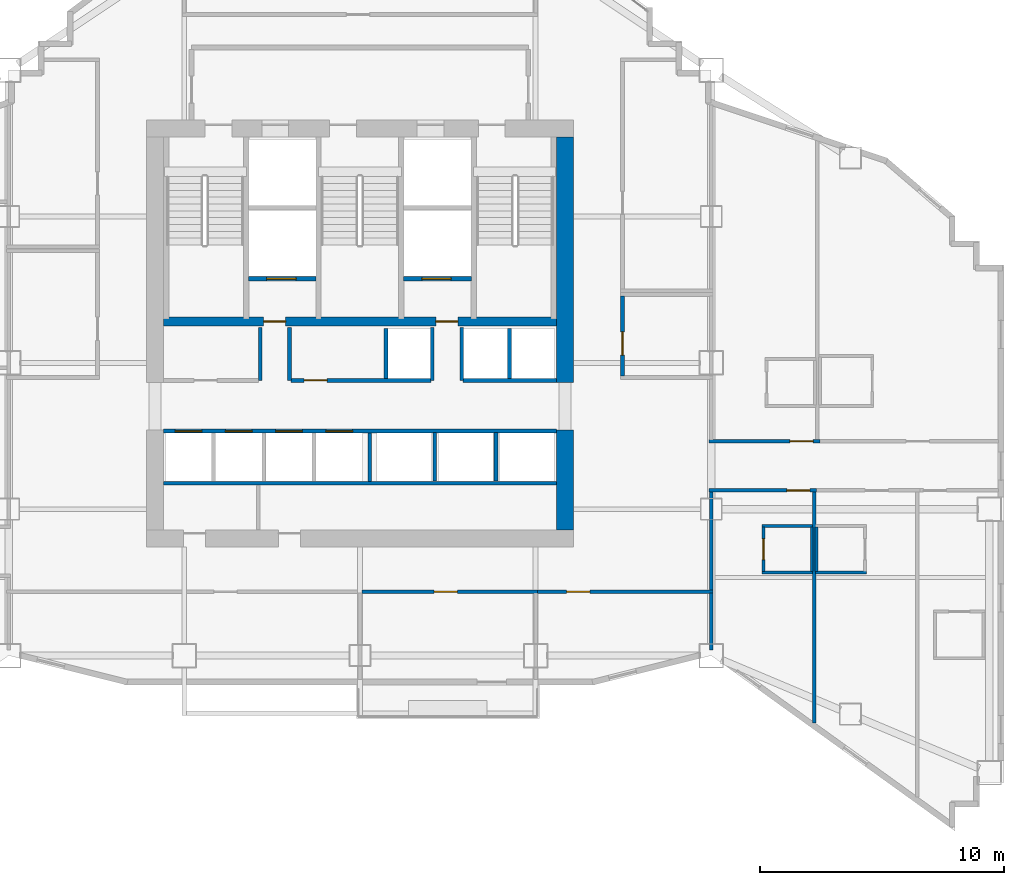
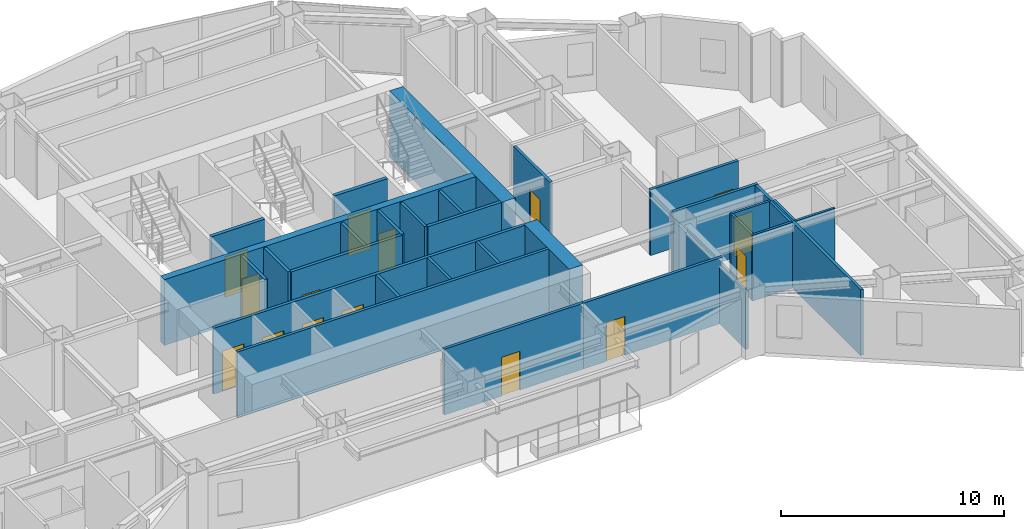
# One storey, part 8 of 13: 32 walls, 15 doors, 15 openings.
"""IFC4 building model written with IfcOpenShell, lengths in metres."""

from ifc_helpers import new_model, si_unit, direction, frame, frame_2d, origin, place, context, subcontext, project, spatial, rectangle, extrude, material, layer, layer_set, type_object, element, fill, save


model = new_model("IFC4")

# Units and contexts
model_context = context("Model", 3, precision=1e-05, world=origin(), true_north=direction((0.0, 1.0)))
body_context = subcontext(model_context, "Body", "Model", "MODEL_VIEW")
ifc_project = project(units=[si_unit("LENGTHUNIT", "METRE"), si_unit("AREAUNIT", "SQUARE_METRE"), si_unit("VOLUMEUNIT", "CUBIC_METRE"), si_unit("PLANEANGLEUNIT", "RADIAN"), si_unit("MASSUNIT", "GRAM", prefix="KILO")], contexts=[model_context])

# Site, building, storey
site_placement = place(None, origin())
site = spatial("IfcSite", under=ifc_project, at=site_placement, CompositionType="ELEMENT")
building_placement = place(site_placement, origin())
building = spatial("IfcBuilding", under=site, at=building_placement, Name="Haolan Belvedere Tower", CompositionType="ELEMENT")
storey_placement = place(building_placement, frame((0.0, 0.0, 128.800048828125)))
storey = spatial("IfcBuildingStorey", under=building, at=storey_placement, Name="L32", CompositionType="ELEMENT", Elevation=128.800048828125)

# Walls
ifc_material_1 = material(Name="Concrete C60/75", Category="concrete")
ifc_layer_1 = layer(ifc_material_1, 0.699951171875, Name="Concrete C60/75")
ifc_layer_set_1 = layer_set([ifc_layer_1], Name="Concrete C60/75")
wall_type_1 = type_object("IfcWallType", Name="WL-CORE-700", PredefinedType="SHEAR", material=ifc_layer_set_1)
wall_1_placement = place(storey_placement, frame((46.800048828125, 26.75, 0.0), z_axis=(0.0, 0.0, 1.0), x_axis=(0.0, 1.0, 0.0)))
element("IfcWall", 1, at=wall_1_placement, inside=storey, type_object=wall_type_1, Name="L32 central core shear wall ES", PredefinedType="SHEAR", context=body_context, shape_type="SweptSolid", body=[
    extrude(rectangle(XDim=4.10009765625, YDim=0.699951171875, at=frame_2d((2.050048828125, 0.0))), origin(), (0.0, 0.0, 1.0), 3.599853515625),
])
wall_2_placement = place(storey_placement, frame((46.800048828125, 32.800048828125, 0.0), z_axis=(0.0, 0.0, 1.0), x_axis=(0.0, 1.0, 0.0)))
element("IfcWall", 2, at=wall_2_placement, inside=storey, type_object=wall_type_1, Name="L32 central core shear wall EN", PredefinedType="SHEAR", context=body_context, shape_type="SweptSolid", body=[
    extrude(rectangle(XDim=10.050048828125, YDim=0.699951171875, at=frame_2d((5.02490234375, 0.0))), origin(), (0.0, 0.0, 1.0), 3.599853515625),
])
ifc_material_2 = material(Name="Double gypsum acoustic stud partition", Category="masonry")
ifc_layer_2 = layer(ifc_material_2, 0.14990234375, Name="Double gypsum acoustic stud partition")
ifc_layer_set_2 = layer_set([ifc_layer_2], Name="Double gypsum acoustic stud partition")
wall_type_2 = type_object("IfcWallType", Name="WL-PART-150", PredefinedType="PARTITIONING", material=ifc_layer_set_2)
wall_3_placement = place(storey_placement, frame((30.35009765625, 28.659912109375, 0.0), z_axis=(0.0, 0.0, 1.0), x_axis=(1.0, 0.0, 0.0)))
element("IfcWall", 3, at=wall_3_placement, inside=storey, type_object=wall_type_2, Name="L32 interior partition IW-L32-SSTRIP-N", PredefinedType="PARTITIONING", context=body_context, shape_type="SweptSolid", body=[
    extrude(rectangle(XDim=16.099853515625, YDim=0.14990234375, at=frame_2d((8.0498046875, 0.0))), origin(), (0.0, 0.0, 1.0), 3.599853515625),
])

# Wall, opening, door
wall_4_placement = place(storey_placement, frame((49.159912109375, 33.06005859375, 0.0), z_axis=(0.0, 0.0, 1.0), x_axis=(0.0, 1.0, 0.0)))
wall_4 = element("IfcWall", 4, at=wall_4_placement, inside=storey, type_object=wall_type_2, Name="L32 interior partition IW-L32-AWC-W", PredefinedType="PARTITIONING", context=body_context, shape_type="SweptSolid", body=[
    extrude(rectangle(XDim=3.280029296875, YDim=0.14990234375, at=frame_2d((1.64013671875, 0.0))), origin(), (0.0, 0.0, 1.0), 3.599853515625),
])
opening_1_placement = place(wall_4_placement, frame((0.860107421875, 0.0, 0.0)))
opening_1 = element("IfcOpeningElement", 5, at=opening_1_placement, cuts=wall_4, Name="Opening ID-03", PredefinedType="OPENING", context=body_context, shape_type="SweptSolid", body=[
    extrude(rectangle(XDim=0.949951171875, YDim=2.1201171875, at=frame_2d((0.47509765625, 1.06005859375))), frame((0.0, 0.0849609375, 0.0), z_axis=(0.0, -1.0, 0.0), x_axis=(1.0, 0.0, 0.0)), (0.0, 0.0, 1.0), 0.169921875),
])
ifc_material_3 = material(Name="Painted solid-core timber", Category="wood")
door_type_1 = type_object("IfcDoorType", Name="DR-INT-950", OperationType="NOTDEFINED", PredefinedType="DOOR", material=ifc_material_3)
door_1_placement = place(opening_1_placement, origin())
door_1 = element("IfcDoor", 6, at=door_1_placement, inside=storey, type_object=door_type_1, Name="L32 door ID-L32-AWC", OperationType="SINGLE_SWING_RIGHT", OverallHeight=2.1201171875, OverallWidth=0.949951171875, PredefinedType="DOOR", context=body_context, shape_type="SweptSolid", body=[
    extrude(rectangle(XDim=0.949951171875, YDim=2.1201171875, at=frame_2d((0.47509765625, 1.06005859375))), frame((0.0, 0.02490234375, 0.0), z_axis=(0.0, -1.0, 0.0), x_axis=(1.0, 0.0, 0.0)), (0.0, 0.0, 1.0), 0.050048828125),
])
fill(opening_1, door_1)

wall_5_placement = place(storey_placement, frame((38.48193359375, 24.219970703125, 0.0), z_axis=(0.0, 0.0, 1.0), x_axis=(1.0, 0.0, 0.0)))
wall_5 = element("IfcWall", 7, at=wall_5_placement, inside=storey, type_object=wall_type_2, Name="L32 interior partition IW-L32-KS2-N", PredefinedType="PARTITIONING", context=body_context, shape_type="SweptSolid", body=[
    extrude(rectangle(XDim=7.197998046875, YDim=0.14990234375, at=frame_2d((3.59912109375, 0.0))), origin(), (0.0, 0.0, 1.0), 3.599853515625),
])
opening_2_placement = place(wall_5_placement, frame((3.912841796875, 0.0, 0.0), z_axis=(0.0, 0.0, 1.0), x_axis=(-1.0, 0.0, 0.0)))
opening_2 = element("IfcOpeningElement", 8, at=opening_2_placement, cuts=wall_5, Name="Opening ID-03", PredefinedType="OPENING", context=body_context, shape_type="SweptSolid", body=[
    extrude(rectangle(XDim=0.949951171875, YDim=2.1201171875, at=frame_2d((0.47509765625, 1.06005859375))), frame((0.0, 0.0849609375, 0.0), z_axis=(0.0, -1.0, 0.0), x_axis=(1.0, 0.0, 0.0)), (0.0, 0.0, 1.0), 0.169921875),
])
door_2_placement = place(opening_2_placement, origin())
door_2 = element("IfcDoor", 9, at=door_2_placement, inside=storey, type_object=door_type_1, Name="L32 door ID-L32-KS2", OperationType="SINGLE_SWING_LEFT", OverallHeight=2.1201171875, OverallWidth=0.949951171875, PredefinedType="DOOR", context=body_context, shape_type="SweptSolid", body=[
    extrude(rectangle(XDim=0.949951171875, YDim=2.1201171875, at=frame_2d((0.47509765625, 1.06005859375))), frame((0.0, 0.02490234375, 0.0), z_axis=(0.0, -1.0, 0.0), x_axis=(1.0, 0.0, 0.0)), (0.0, 0.0, 1.0), 0.050048828125),
])
fill(opening_2, door_2)

wall_6_placement = place(storey_placement, frame((45.681884765625, 24.219970703125, 0.0), z_axis=(0.0, 0.0, 1.0), x_axis=(1.0, 0.0, 0.0)))
wall_6 = element("IfcWall", 10, at=wall_6_placement, inside=storey, type_object=wall_type_2, Name="L32 interior partition IW-L32-KS3-N", PredefinedType="PARTITIONING", context=body_context, shape_type="SweptSolid", body=[
    extrude(rectangle(XDim=7.197998046875, YDim=0.14990234375, at=frame_2d((3.59912109375, 0.0))), origin(), (0.0, 0.0, 1.0), 3.599853515625),
])
opening_3_placement = place(wall_6_placement, frame((2.14306640625, 0.0, 0.0), z_axis=(0.0, 0.0, 1.0), x_axis=(-1.0, 0.0, 0.0)))
opening_3 = element("IfcOpeningElement", 11, at=opening_3_placement, cuts=wall_6, Name="Opening ID-03", PredefinedType="OPENING", context=body_context, shape_type="SweptSolid", body=[
    extrude(rectangle(XDim=0.949951171875, YDim=2.1201171875, at=frame_2d((0.47509765625, 1.06005859375))), frame((0.0, 0.0849609375, 0.0), z_axis=(0.0, -1.0, 0.0), x_axis=(1.0, 0.0, 0.0)), (0.0, 0.0, 1.0), 0.169921875),
])
door_3_placement = place(opening_3_placement, origin())
door_3 = element("IfcDoor", 12, at=door_3_placement, inside=storey, type_object=door_type_1, Name="L32 door ID-L32-KS3", OperationType="SINGLE_SWING_RIGHT", OverallHeight=2.1201171875, OverallWidth=0.949951171875, PredefinedType="DOOR", context=body_context, shape_type="SweptSolid", body=[
    extrude(rectangle(XDim=0.949951171875, YDim=2.1201171875, at=frame_2d((0.47509765625, 1.06005859375))), frame((0.0, 0.02490234375, 0.0), z_axis=(0.0, -1.0, 0.0), x_axis=(1.0, 0.0, 0.0)), (0.0, 0.0, 1.0), 0.050048828125),
])
fill(opening_3, door_3)

# Wall
wall_7_placement = place(storey_placement, frame((52.800048828125, 21.818603515625, 0.0), z_axis=(0.0, 0.0, 1.0), x_axis=(0.0, 1.0, 0.0)))
element("IfcWall", 13, at=wall_7_placement, inside=storey, type_object=wall_type_2, Name="L32 interior partition IW-L32-KS3-E", PredefinedType="PARTITIONING", context=body_context, shape_type="SweptSolid", body=[
    extrude(rectangle(XDim=2.34130859375, YDim=0.14990234375, at=frame_2d((1.170654296875, 0.0))), origin(), (0.0, 0.0, 1.0), 3.14501953125),
])

# Wall, opening, door
wall_8_placement = place(storey_placement, frame((52.699951171875, 30.3798828125, 0.0), z_axis=(0.0, 0.0, 1.0), x_axis=(1.0, 0.0, 0.0)))
wall_8 = element("IfcWall", 14, at=wall_8_placement, inside=storey, type_object=wall_type_2, Name="L32 interior partition IW-L32-T4N1-S", PredefinedType="PARTITIONING", context=body_context, shape_type="SweptSolid", body=[
    extrude(rectangle(XDim=4.550048828125, YDim=0.14990234375, at=frame_2d((2.27490234375, 0.0))), origin(), (0.0, 0.0, 1.0), 3.599853515625),
])
opening_4_placement = place(wall_8_placement, frame((3.322998046875, 0.0, 0.0)))
opening_4 = element("IfcOpeningElement", 15, at=opening_4_placement, cuts=wall_8, Name="Opening ID-02", PredefinedType="OPENING", context=body_context, shape_type="SweptSolid", body=[
    extrude(rectangle(XDim=0.949951171875, YDim=2.14990234375, at=frame_2d((0.47509765625, 1.074951171875))), frame((0.0, 0.0849609375, 0.0), z_axis=(0.0, -1.0, 0.0), x_axis=(1.0, 0.0, 0.0)), (0.0, 0.0, 1.0), 0.169921875),
])
ifc_material_4 = material(Name="Acoustic oak veneer fire-rated timber", Category="wood")
door_type_2 = type_object("IfcDoorType", Name="DR-GUEST-950", OperationType="NOTDEFINED", PredefinedType="DOOR", material=ifc_material_4)
door_4_placement = place(opening_4_placement, origin())
door_4 = element("IfcDoor", 16, at=door_4_placement, inside=storey, type_object=door_type_2, Name="L32 door ID-L32-T4N1-ENT", OperationType="SINGLE_SWING_LEFT", OverallHeight=2.14990234375, OverallWidth=0.949951171875, PredefinedType="DOOR", context=body_context, shape_type="SweptSolid", body=[
    extrude(rectangle(XDim=0.949951171875, YDim=2.14990234375, at=frame_2d((0.47509765625, 1.074951171875))), frame((0.0, 0.02490234375, 0.0), z_axis=(0.0, -1.0, 0.0), x_axis=(1.0, 0.0, 0.0)), (0.0, 0.0, 1.0), 0.050048828125),
])
fill(opening_4, door_4)

wall_9_placement = place(storey_placement, frame((52.699951171875, 28.3701171875, 0.0), z_axis=(0.0, 0.0, 1.0), x_axis=(1.0, 0.0, 0.0)))
wall_9 = element("IfcWall", 17, at=wall_9_placement, inside=storey, type_object=wall_type_2, Name="L32 interior partition IW-L32-T4S1-N", PredefinedType="PARTITIONING", context=body_context, shape_type="SweptSolid", body=[
    extrude(rectangle(XDim=4.420166015625, YDim=0.14990234375, at=frame_2d((2.2099609375, 0.0))), origin(), (0.0, 0.0, 1.0), 3.599853515625),
])
opening_5_placement = place(wall_9_placement, frame((4.1474609375, 0.0, 0.0), z_axis=(0.0, 0.0, 1.0), x_axis=(-1.0, 0.0, 0.0)))
opening_5 = element("IfcOpeningElement", 18, at=opening_5_placement, cuts=wall_9, Name="Opening ID-02", PredefinedType="OPENING", context=body_context, shape_type="SweptSolid", body=[
    extrude(rectangle(XDim=0.949951171875, YDim=2.14990234375, at=frame_2d((0.47509765625, 1.074951171875))), frame((0.0, 0.0849609375, 0.0), z_axis=(0.0, -1.0, 0.0), x_axis=(1.0, 0.0, 0.0)), (0.0, 0.0, 1.0), 0.169921875),
])
door_5_placement = place(opening_5_placement, origin())
door_5 = element("IfcDoor", 19, at=door_5_placement, inside=storey, type_object=door_type_2, Name="L32 door ID-L32-T4S1-ENT", OperationType="SINGLE_SWING_LEFT", OverallHeight=2.14990234375, OverallWidth=0.949951171875, PredefinedType="DOOR", context=body_context, shape_type="SweptSolid", body=[
    extrude(rectangle(XDim=0.949951171875, YDim=2.14990234375, at=frame_2d((0.47509765625, 1.074951171875))), frame((0.0, 0.02490234375, 0.0), z_axis=(0.0, -1.0, 0.0), x_axis=(1.0, 0.0, 0.0)), (0.0, 0.0, 1.0), 0.050048828125),
])
fill(opening_5, door_5)

# Walls
wall_10_placement = place(storey_placement, frame((52.800048828125, 24.280029296875, 0.0), z_axis=(0.0, 0.0, 1.0), x_axis=(0.0, 1.0, 0.0)))
element("IfcWall", 20, at=wall_10_placement, inside=storey, type_object=wall_type_2, Name="L32 interior partition IW-L32-T4S1-W", PredefinedType="PARTITIONING", context=body_context, shape_type="SweptSolid", body=[
    extrude(rectangle(XDim=4.030029296875, YDim=0.14990234375, at=frame_2d((2.01513671875, 0.0))), origin(), (0.0, 0.0, 1.0), 3.14501953125),
])
wall_11_placement = place(storey_placement, frame((57.02001953125, 18.8388671875, 0.0), z_axis=(0.0, 0.0, 1.0), x_axis=(0.0, 1.0, 0.0)))
element("IfcWall", 21, at=wall_11_placement, inside=storey, type_object=wall_type_2, Name="L32 interior partition IW-L32-T4S1-E", PredefinedType="PARTITIONING", context=body_context, shape_type="SweptSolid", body=[
    extrude(rectangle(XDim=9.47119140625, YDim=0.14990234375, at=frame_2d((4.735595703125, 0.0))), origin(), (0.0, 0.0, 1.0), 3.599853515625),
])
ifc_material_5 = material(Name="Gypsum fire shaftwall assembly", Category="masonry")
ifc_layer_3 = layer(ifc_material_5, 0.1650390625, Name="Gypsum fire shaftwall assembly")
ifc_layer_set_3 = layer_set([ifc_layer_3], Name="Gypsum fire shaftwall assembly")
wall_type_3 = type_object("IfcWallType", Name="WL-SHAFT-160", PredefinedType="SOLIDWALL", material=ifc_layer_set_3)
for number, where, z_axis, x_axis, name in (
    (22, (34.31005859375, 32.8798828125, 0.0), (0.0, 0.0, 1.0), (0.0, 1.0, 0.0), "L32 interior partition IW-L32-SVP-W-SV1"),
    (23, (35.510009765625, 32.8798828125, 0.0), (0.0, 0.0, 1.0), (0.0, 1.0, 0.0), "L32 interior partition IW-L32-SVP-E-SV1"),
    (24, (41.3701171875, 32.8798828125, 0.0), (0.0, 0.0, 1.0), (0.0, 1.0, 0.0), "L32 interior partition IW-L32-SVP-W-SV2"),
    (25, (42.570068359375, 32.8798828125, 0.0), (0.0, 0.0, 1.0), (0.0, 1.0, 0.0), "L32 interior partition IW-L32-SVP-E-SV2"),
):
    element("IfcWall", number, at=place(storey_placement, frame(where, z_axis=z_axis, x_axis=x_axis)), inside=storey, type_object=wall_type_3, Name=name, PredefinedType="SOLIDWALL", context=body_context, shape_type="SweptSolid", body=[
        extrude(rectangle(XDim=2.170166015625, YDim=0.14990234375, at=frame_2d((1.0849609375, 0.0))), origin(), (0.0, 0.0, 1.0), 3.599853515625),
    ])

# Wall, opening, door
wall_12_placement = place(storey_placement, frame((35.570068359375, 32.8798828125, 0.0), z_axis=(0.0, 0.0, 1.0), x_axis=(1.0, 0.0, 0.0)))
wall_12 = element("IfcWall", 26, at=wall_12_placement, inside=storey, type_object=wall_type_3, Name="L32 interior partition IW-L32-ROW-PN2", PredefinedType="SOLIDWALL", context=body_context, shape_type="SweptSolid", body=[
    extrude(rectangle(XDim=5.739990234375, YDim=0.159912109375, at=frame_2d((2.8701171875, 0.0))), origin(), (0.0, 0.0, 1.0), 3.599853515625),
])
opening_6_placement = place(wall_12_placement, frame((1.489990234375, 0.0, 0.0), z_axis=(0.0, 0.0, 1.0), x_axis=(-1.0, 0.0, 0.0)))
opening_6 = element("IfcOpeningElement", 27, at=opening_6_placement, cuts=wall_12, Name="Opening ID-03", PredefinedType="OPENING", context=body_context, shape_type="SweptSolid", body=[
    extrude(rectangle(XDim=0.949951171875, YDim=2.1201171875, at=frame_2d((0.47509765625, 1.06005859375))), frame((0.0, 0.08984375, 0.0), z_axis=(0.0, -1.0, 0.0), x_axis=(1.0, 0.0, 0.0)), (0.0, 0.0, 1.0), 0.179931640625),
])
door_6_placement = place(opening_6_placement, origin())
door_6 = element("IfcDoor", 28, at=door_6_placement, inside=storey, type_object=door_type_1, Name="L32 door ID-L32-CD-RPLE", OperationType="SINGLE_SWING_RIGHT", OverallHeight=2.1201171875, OverallWidth=0.949951171875, PredefinedType="DOOR", context=body_context, shape_type="SweptSolid", body=[
    extrude(rectangle(XDim=0.949951171875, YDim=2.1201171875, at=frame_2d((0.47509765625, 1.06005859375))), frame((0.0, 0.02490234375, 0.0), z_axis=(0.0, -1.0, 0.0), x_axis=(1.0, 0.0, 0.0)), (0.0, 0.0, 1.0), 0.050048828125),
])
fill(opening_6, door_6)

# Walls
wall_13_placement = place(storey_placement, frame((42.6298828125, 32.8798828125, 0.0), z_axis=(0.0, 0.0, 1.0), x_axis=(1.0, 0.0, 0.0)))
element("IfcWall", 29, at=wall_13_placement, inside=storey, type_object=wall_type_3, Name="L32 interior partition IW-L32-ROW-PN3", PredefinedType="SOLIDWALL", context=body_context, shape_type="SweptSolid", body=[
    extrude(rectangle(XDim=3.820068359375, YDim=0.159912109375, at=frame_2d((1.91015625, 0.0))), origin(), (0.0, 0.0, 1.0), 3.599853515625),
])
for number, where, z_axis, x_axis, name in (
    (30, (39.469970703125, 32.949951171875, 0.0), (0.0, 0.0, 1.0), (0.0, 1.0, 0.0), "L32 interior partition IW-L32-DIV-PL4R"),
    (31, (44.530029296875, 32.949951171875, 0.0), (0.0, 0.0, 1.0), (0.0, 1.0, 0.0), "L32 interior partition IW-L32-DIV-PH2"),
):
    element("IfcWall", number, at=place(storey_placement, frame(where, z_axis=z_axis, x_axis=x_axis)), inside=storey, type_object=wall_type_3, Name=name, PredefinedType="SOLIDWALL", context=body_context, shape_type="SweptSolid", body=[
        extrude(rectangle(XDim=2.050048828125, YDim=0.14990234375, at=frame_2d((1.02490234375, 0.0))), origin(), (0.0, 0.0, 1.0), 3.599853515625),
    ])

# Wall, openings, doors
wall_14_placement = place(storey_placement, frame((30.35009765625, 30.800048828125, 0.0), z_axis=(0.0, 0.0, 1.0), x_axis=(1.0, 0.0, 0.0)))
wall_14 = element("IfcWall", 32, at=wall_14_placement, inside=storey, type_object=wall_type_3, Name="L32 interior partition IW-L32-ROW-PS", PredefinedType="SOLIDWALL", context=body_context, shape_type="SweptSolid", body=[
    extrude(rectangle(XDim=16.099853515625, YDim=0.159912109375, at=frame_2d((8.0498046875, 0.0))), origin(), (0.0, 0.0, 1.0), 3.599853515625),
])
opening_7_placement = place(wall_14_placement, frame((0.469970703125, 0.0, 0.0)))
opening_7 = element("IfcOpeningElement", 33, at=opening_7_placement, cuts=wall_14, Name="Opening LD-01", PredefinedType="OPENING", context=body_context, shape_type="SweptSolid", body=[
    extrude(rectangle(XDim=1.10009765625, YDim=2.199951171875, at=frame_2d((0.550048828125, 1.10009765625))), frame((0.0, 0.08984375, 0.0), z_axis=(0.0, -1.0, 0.0), x_axis=(1.0, 0.0, 0.0)), (0.0, 0.0, 1.0), 0.179931640625),
])
opening_8_placement = place(wall_14_placement, frame((2.530029296875, 0.0, 0.0)))
opening_8 = element("IfcOpeningElement", 34, at=opening_8_placement, cuts=wall_14, Name="Opening LD-01", PredefinedType="OPENING", context=body_context, shape_type="SweptSolid", body=[
    extrude(rectangle(XDim=1.10009765625, YDim=2.199951171875, at=frame_2d((0.550048828125, 1.10009765625))), frame((0.0, 0.08984375, 0.0), z_axis=(0.0, -1.0, 0.0), x_axis=(1.0, 0.0, 0.0)), (0.0, 0.0, 1.0), 0.179931640625),
])
opening_9_placement = place(wall_14_placement, frame((4.590087890625, 0.0, 0.0)))
opening_9 = element("IfcOpeningElement", 35, at=opening_9_placement, cuts=wall_14, Name="Opening LD-01", PredefinedType="OPENING", context=body_context, shape_type="SweptSolid", body=[
    extrude(rectangle(XDim=1.10009765625, YDim=2.199951171875, at=frame_2d((0.550048828125, 1.10009765625))), frame((0.0, 0.08984375, 0.0), z_axis=(0.0, -1.0, 0.0), x_axis=(1.0, 0.0, 0.0)), (0.0, 0.0, 1.0), 0.179931640625),
])
opening_10_placement = place(wall_14_placement, frame((6.64990234375, 0.0, 0.0)))
opening_10 = element("IfcOpeningElement", 36, at=opening_10_placement, cuts=wall_14, Name="Opening LD-01", PredefinedType="OPENING", context=body_context, shape_type="SweptSolid", body=[
    extrude(rectangle(XDim=1.10009765625, YDim=2.199951171875, at=frame_2d((0.550048828125, 1.10009765625))), frame((0.0, 0.08984375, 0.0), z_axis=(0.0, -1.0, 0.0), x_axis=(1.0, 0.0, 0.0)), (0.0, 0.0, 1.0), 0.179931640625),
])
ifc_material_6 = material(Name="Brushed champagne stainless steel 316L", Category="steel")
door_type_3 = type_object("IfcDoorType", Name="DR-LIFT-1100", OperationType="SLIDING_TO_LEFT", PredefinedType="DOOR", material=ifc_material_6)
door_7_placement = place(opening_7_placement, origin())
door_7 = element("IfcDoor", 37, at=door_7_placement, inside=storey, type_object=door_type_3, Name="L32 door ID-L32-LD-PM1", OperationType="SLIDING_TO_LEFT", OverallHeight=2.199951171875, OverallWidth=1.10009765625, PredefinedType="DOOR", context=body_context, shape_type="SweptSolid", body=[
    extrude(rectangle(XDim=1.10009765625, YDim=2.199951171875, at=frame_2d((0.550048828125, 1.10009765625))), frame((0.0, 0.02490234375, 0.0), z_axis=(0.0, -1.0, 0.0), x_axis=(1.0, 0.0, 0.0)), (0.0, 0.0, 1.0), 0.050048828125),
])
fill(opening_7, door_7)
door_8_placement = place(opening_8_placement, origin())
door_8 = element("IfcDoor", 38, at=door_8_placement, inside=storey, type_object=door_type_3, Name="L32 door ID-L32-LD-PM2", OperationType="SLIDING_TO_LEFT", OverallHeight=2.199951171875, OverallWidth=1.10009765625, PredefinedType="DOOR", context=body_context, shape_type="SweptSolid", body=[
    extrude(rectangle(XDim=1.10009765625, YDim=2.199951171875, at=frame_2d((0.550048828125, 1.10009765625))), frame((0.0, 0.02490234375, 0.0), z_axis=(0.0, -1.0, 0.0), x_axis=(1.0, 0.0, 0.0)), (0.0, 0.0, 1.0), 0.050048828125),
])
fill(opening_8, door_8)
door_9_placement = place(opening_9_placement, origin())
door_9 = element("IfcDoor", 39, at=door_9_placement, inside=storey, type_object=door_type_3, Name="L32 door ID-L32-LD-PM3", OperationType="SLIDING_TO_LEFT", OverallHeight=2.199951171875, OverallWidth=1.10009765625, PredefinedType="DOOR", context=body_context, shape_type="SweptSolid", body=[
    extrude(rectangle(XDim=1.10009765625, YDim=2.199951171875, at=frame_2d((0.550048828125, 1.10009765625))), frame((0.0, 0.02490234375, 0.0), z_axis=(0.0, -1.0, 0.0), x_axis=(1.0, 0.0, 0.0)), (0.0, 0.0, 1.0), 0.050048828125),
])
fill(opening_9, door_9)
door_10_placement = place(opening_10_placement, origin())
door_10 = element("IfcDoor", 40, at=door_10_placement, inside=storey, type_object=door_type_3, Name="L32 door ID-L32-LD-PM4", OperationType="SLIDING_TO_LEFT", OverallHeight=2.199951171875, OverallWidth=1.10009765625, PredefinedType="DOOR", context=body_context, shape_type="SweptSolid", body=[
    extrude(rectangle(XDim=1.10009765625, YDim=2.199951171875, at=frame_2d((0.550048828125, 1.10009765625))), frame((0.0, 0.02490234375, 0.0), z_axis=(0.0, -1.0, 0.0), x_axis=(1.0, 0.0, 0.0)), (0.0, 0.0, 1.0), 0.050048828125),
])
fill(opening_10, door_10)

# Walls
wall_15_placement = place(storey_placement, frame((38.800048828125, 28.735107421875, 0.0), z_axis=(0.0, 0.0, 1.0), x_axis=(0.0, 1.0, 0.0)))
element("IfcWall", 41, at=wall_15_placement, inside=storey, type_object=wall_type_3, Name="L32 interior partition IW-L32-DIV-PM4", PredefinedType="SOLIDWALL", context=body_context, shape_type="SweptSolid", body=[
    extrude(rectangle(XDim=1.98486328125, YDim=0.14990234375, at=frame_2d((0.992431640625, 0.0))), origin(), (0.0, 0.0, 1.0), 3.599853515625),
])
for number, where, z_axis, x_axis, name in (
    (42, (41.469970703125, 28.75, 0.0), (0.0, 0.0, 1.0), (0.0, 1.0, 0.0), "L32 interior partition IW-L32-DIV-OB1"),
    (43, (43.97998046875, 28.75, 0.0), (0.0, 0.0, 1.0), (0.0, 1.0, 0.0), "L32 interior partition IW-L32-DIV-OB2"),
):
    element("IfcWall", number, at=place(storey_placement, frame(where, z_axis=z_axis, x_axis=x_axis)), inside=storey, type_object=wall_type_3, Name=name, PredefinedType="SOLIDWALL", context=body_context, shape_type="SweptSolid", body=[
        extrude(rectangle(XDim=1.985107421875, YDim=0.14990234375, at=frame_2d((0.99267578125, 0.0))), origin(), (0.0, 0.0, 1.0), 3.599853515625),
    ])

# Wall, opening, door
ifc_material_7 = material(Name="Precast concrete C40/50", Category="concrete")
ifc_layer_4 = layer(ifc_material_7, 0.179931640625, Name="Precast concrete C40/50")
ifc_layer_set_4 = layer_set([ifc_layer_4], Name="Precast concrete C40/50")
wall_type_4 = type_object("IfcWallType", Name="WL-SHAFT-180", PredefinedType="SOLIDWALL", material=ifc_layer_set_4)
wall_16_placement = place(storey_placement, frame((33.8349609375, 37.050048828125, 0.0), z_axis=(0.0, 0.0, 1.0), x_axis=(1.0, 0.0, 0.0)))
wall_16 = element("IfcWall", 44, at=wall_16_placement, inside=storey, type_object=wall_type_4, Name="L32 interior partition IW-L32-SV1-S", PredefinedType="SOLIDWALL", context=body_context, shape_type="SweptSolid", body=[
    extrude(rectangle(XDim=2.77001953125, YDim=0.179931640625, at=frame_2d((1.385009765625, 0.0))), origin(), (0.0, 0.0, 1.0), 3.599853515625),
])
opening_11_placement = place(wall_16_placement, frame((1.945068359375, 0.0, 0.0), z_axis=(0.0, 0.0, 1.0), x_axis=(-1.0, 0.0, 0.0)))
opening_11 = element("IfcOpeningElement", 45, at=opening_11_placement, cuts=wall_16, Name="Opening LD-02", PredefinedType="OPENING", context=body_context, shape_type="SweptSolid", body=[
    extrude(rectangle(XDim=1.199951171875, YDim=2.199951171875, at=frame_2d((0.60009765625, 1.10009765625))), frame((0.0, 0.099853515625, 0.0), z_axis=(0.0, -1.0, 0.0), x_axis=(1.0, 0.0, 0.0)), (0.0, 0.0, 1.0), 0.199951171875),
])
door_type_4 = type_object("IfcDoorType", Name="DR-LIFT-1200", OperationType="SLIDING_TO_RIGHT", PredefinedType="DOOR", material=ifc_material_6)
door_11_placement = place(opening_11_placement, origin())
door_11 = element("IfcDoor", 46, at=door_11_placement, inside=storey, type_object=door_type_4, Name="L32 door ID-L32-LD-SV1", OperationType="SLIDING_TO_RIGHT", OverallHeight=2.199951171875, OverallWidth=1.199951171875, PredefinedType="DOOR", context=body_context, shape_type="SweptSolid", body=[
    extrude(rectangle(XDim=1.199951171875, YDim=2.199951171875, at=frame_2d((0.60009765625, 1.10009765625))), frame((0.0, 0.02490234375, 0.0), z_axis=(0.0, -1.0, 0.0), x_axis=(1.0, 0.0, 0.0)), (0.0, 0.0, 1.0), 0.050048828125),
])
fill(opening_11, door_11)

wall_17_placement = place(storey_placement, frame((40.195068359375, 37.050048828125, 0.0), z_axis=(0.0, 0.0, 1.0), x_axis=(1.0, 0.0, 0.0)))
wall_17 = element("IfcWall", 47, at=wall_17_placement, inside=storey, type_object=wall_type_4, Name="L32 interior partition IW-L32-SV2-S", PredefinedType="SOLIDWALL", context=body_context, shape_type="SweptSolid", body=[
    extrude(rectangle(XDim=2.77001953125, YDim=0.179931640625, at=frame_2d((1.385009765625, 0.0))), origin(), (0.0, 0.0, 1.0), 3.599853515625),
])
opening_12_placement = place(wall_17_placement, frame((1.945068359375, 0.0, 0.0), z_axis=(0.0, 0.0, 1.0), x_axis=(-1.0, 0.0, 0.0)))
opening_12 = element("IfcOpeningElement", 48, at=opening_12_placement, cuts=wall_17, Name="Opening LD-02", PredefinedType="OPENING", context=body_context, shape_type="SweptSolid", body=[
    extrude(rectangle(XDim=1.199951171875, YDim=2.199951171875, at=frame_2d((0.60009765625, 1.10009765625))), frame((0.0, 0.099853515625, 0.0), z_axis=(0.0, -1.0, 0.0), x_axis=(1.0, 0.0, 0.0)), (0.0, 0.0, 1.0), 0.199951171875),
])
door_12_placement = place(opening_12_placement, origin())
door_12 = element("IfcDoor", 49, at=door_12_placement, inside=storey, type_object=door_type_4, Name="L32 door ID-L32-LD-SV2", OperationType="SLIDING_TO_RIGHT", OverallHeight=2.199951171875, OverallWidth=1.199951171875, PredefinedType="DOOR", context=body_context, shape_type="SweptSolid", body=[
    extrude(rectangle(XDim=1.199951171875, YDim=2.199951171875, at=frame_2d((0.60009765625, 1.10009765625))), frame((0.0, 0.02490234375, 0.0), z_axis=(0.0, -1.0, 0.0), x_axis=(1.0, 0.0, 0.0)), (0.0, 0.0, 1.0), 0.050048828125),
])
fill(opening_12, door_12)

# Wall, openings, doors
ifc_layer_5 = layer(ifc_material_1, 0.360107421875, Name="Concrete C60/75")
ifc_layer_set_5 = layer_set([ifc_layer_5], Name="Concrete C60/75")
wall_type_5 = type_object("IfcWallType", Name="WL-WEB-350", PredefinedType="SHEAR", material=ifc_layer_set_5)
wall_18_placement = place(storey_placement, frame((30.35009765625, 35.2900390625, 0.0), z_axis=(0.0, 0.0, 1.0), x_axis=(1.0, 0.0, 0.0)))
wall_18 = element("IfcWall", 50, at=wall_18_placement, inside=storey, type_object=wall_type_5, Name="L32 central core internal shear web", PredefinedType="SHEAR", context=body_context, shape_type="SweptSolid", body=[
    extrude(rectangle(XDim=16.099853515625, YDim=0.360107421875, at=frame_2d((8.0498046875, 0.0))), origin(), (0.0, 0.0, 1.0), 3.599853515625),
])
opening_13_placement = place(wall_18_placement, frame((5.0, 0.0, 0.0), z_axis=(0.0, 0.0, 1.0), x_axis=(-1.0, 0.0, 0.0)))
opening_13 = element("IfcOpeningElement", 51, at=opening_13_placement, cuts=wall_18, Name="Opening FD-05", PredefinedType="OPENING", context=body_context, shape_type="SweptSolid", body=[
    extrude(rectangle(XDim=0.89990234375, YDim=2.10009765625, at=frame_2d((0.449951171875, 1.050048828125))), frame((0.0, 0.18994140625, 0.0), z_axis=(0.0, -1.0, 0.0), x_axis=(1.0, 0.0, 0.0)), (0.0, 0.0, 1.0), 0.380126953125),
])
opening_14_placement = place(wall_18_placement, frame((12.059814453125, 0.0, 0.0), z_axis=(0.0, 0.0, 1.0), x_axis=(-1.0, 0.0, 0.0)))
opening_14 = element("IfcOpeningElement", 52, at=opening_14_placement, cuts=wall_18, Name="Opening FD-05", PredefinedType="OPENING", context=body_context, shape_type="SweptSolid", body=[
    extrude(rectangle(XDim=0.89990234375, YDim=2.10009765625, at=frame_2d((0.449951171875, 1.050048828125))), frame((0.0, 0.18994140625, 0.0), z_axis=(0.0, -1.0, 0.0), x_axis=(1.0, 0.0, 0.0)), (0.0, 0.0, 1.0), 0.380126953125),
])
ifc_material_8 = material(Name="Galvanised fire-rated steel", Category="steel")
door_type_5 = type_object("IfcDoorType", Name="DR-FD60-900", OperationType="NOTDEFINED", PredefinedType="DOOR", material=ifc_material_8)
door_13_placement = place(opening_13_placement, origin())
door_13 = element("IfcDoor", 53, at=door_13_placement, inside=storey, type_object=door_type_5, Name="L32 door CD-L32-SVL-SV1", OperationType="SINGLE_SWING_RIGHT", OverallHeight=2.10009765625, OverallWidth=0.89990234375, PredefinedType="DOOR", context=body_context, shape_type="SweptSolid", body=[
    extrude(rectangle(XDim=0.89990234375, YDim=2.10009765625, at=frame_2d((0.449951171875, 1.050048828125))), frame((0.0, 0.02490234375, 0.0), z_axis=(0.0, -1.0, 0.0), x_axis=(1.0, 0.0, 0.0)), (0.0, 0.0, 1.0), 0.050048828125),
])
fill(opening_13, door_13)
door_14_placement = place(opening_14_placement, origin())
door_14 = element("IfcDoor", 54, at=door_14_placement, inside=storey, type_object=door_type_5, Name="L32 door CD-L32-SVL-SV2", OperationType="SINGLE_SWING_RIGHT", OverallHeight=2.10009765625, OverallWidth=0.89990234375, PredefinedType="DOOR", context=body_context, shape_type="SweptSolid", body=[
    extrude(rectangle(XDim=0.89990234375, YDim=2.10009765625, at=frame_2d((0.449951171875, 1.050048828125))), frame((0.0, 0.02490234375, 0.0), z_axis=(0.0, -1.0, 0.0), x_axis=(1.0, 0.0, 0.0)), (0.0, 0.0, 1.0), 0.050048828125),
])
fill(opening_14, door_14)

# Walls
ifc_material_9 = material(Name="Moisture-resistant gypsum tile partition", Category="masonry")
ifc_layer_6 = layer(ifc_material_9, 0.1201171875, Name="Moisture-resistant gypsum tile partition")
ifc_layer_set_6 = layer_set([ifc_layer_6], Name="Moisture-resistant gypsum tile partition")
wall_type_6 = type_object("IfcWallType", Name="WL-WET-120", PredefinedType="PARTITIONING", material=ifc_layer_set_6)
for number, where, z_axis, x_axis, name in (
    (55, (54.8798828125, 26.919921875, 0.0), (0.0, 0.0, 1.0), (1.0, 0.0, 0.0), "L32 interior partition IW-L32-T4S1-BN"),
    (56, (54.8798828125, 25.0, 0.0), (0.0, 0.0, 1.0), (1.0, 0.0, 0.0), "L32 interior partition IW-L32-T4S1-BS"),
):
    element("IfcWall", number, at=place(storey_placement, frame(where, z_axis=z_axis, x_axis=x_axis)), inside=storey, type_object=wall_type_6, Name=name, PredefinedType="PARTITIONING", context=body_context, shape_type="SweptSolid", body=[
        extrude(rectangle(XDim=2.080078125, YDim=0.1201171875, at=frame_2d((1.0400390625, 0.0))), origin(), (0.0, 0.0, 1.0), 3.599853515625),
    ])

# Wall, opening, door
wall_19_placement = place(storey_placement, frame((54.93994140625, 25.044921875, 0.0), z_axis=(0.0, 0.0, 1.0), x_axis=(0.0, 1.0, 0.0)))
wall_19 = element("IfcWall", 57, at=wall_19_placement, inside=storey, type_object=wall_type_6, Name="L32 interior partition IW-L32-T4S1-BW", PredefinedType="PARTITIONING", context=body_context, shape_type="SweptSolid", body=[
    extrude(rectangle(XDim=1.830078125, YDim=0.1201171875, at=frame_2d((0.9150390625, 0.0))), origin(), (0.0, 0.0, 1.0), 3.599853515625),
])
opening_15_placement = place(wall_19_placement, frame((1.340087890625, 0.0, 0.0), z_axis=(0.0, 0.0, 1.0), x_axis=(-1.0, 0.0, 0.0)))
opening_15 = element("IfcOpeningElement", 58, at=opening_15_placement, cuts=wall_19, Name="Opening ID-05", PredefinedType="OPENING", context=body_context, shape_type="SweptSolid", body=[
    extrude(rectangle(XDim=0.85009765625, YDim=2.10009765625, at=frame_2d((0.425048828125, 1.050048828125))), frame((0.0, 0.070068359375, 0.0), z_axis=(0.0, -1.0, 0.0), x_axis=(1.0, 0.0, 0.0)), (0.0, 0.0, 1.0), 0.14013671875),
])
ifc_material_10 = material(Name="Moisture-resistant lacquered timber", Category="wood")
door_type_6 = type_object("IfcDoorType", Name="DR-BATH-850", OperationType="NOTDEFINED", PredefinedType="DOOR", material=ifc_material_10)
door_15_placement = place(opening_15_placement, origin())
door_15 = element("IfcDoor", 59, at=door_15_placement, inside=storey, type_object=door_type_6, Name="L32 door ID-L32-T4S1-BATH", OperationType="SINGLE_SWING_RIGHT", OverallHeight=2.10009765625, OverallWidth=0.85009765625, PredefinedType="DOOR", context=body_context, shape_type="SweptSolid", body=[
    extrude(rectangle(XDim=0.85009765625, YDim=2.10009765625, at=frame_2d((0.425048828125, 1.050048828125))), frame((0.0, 0.02490234375, 0.0), z_axis=(0.0, -1.0, 0.0), x_axis=(1.0, 0.0, 0.0)), (0.0, 0.0, 1.0), 0.050048828125),
])
fill(opening_15, door_15)

# Walls
wall_20_placement = place(storey_placement, frame((56.919921875, 25.044921875, 0.0), z_axis=(0.0, 0.0, 1.0), x_axis=(0.0, 1.0, 0.0)))
element("IfcWall", 60, at=wall_20_placement, inside=storey, type_object=wall_type_6, Name="L32 interior partition IW-L32-T4S1-BE", PredefinedType="PARTITIONING", context=body_context, shape_type="SweptSolid", body=[
    extrude(rectangle(XDim=1.830078125, YDim=0.1201171875, at=frame_2d((0.9150390625, 0.0))), origin(), (0.0, 0.0, 1.0), 3.599853515625),
])
wall_21_placement = place(storey_placement, frame((57.080078125, 25.0, 0.0), z_axis=(0.0, 0.0, 1.0), x_axis=(1.0, 0.0, 0.0)))
element("IfcWall", 61, at=wall_21_placement, inside=storey, type_object=wall_type_6, Name="L32 interior partition IW-L32-T4S2-BS", PredefinedType="PARTITIONING", context=body_context, shape_type="SweptSolid", body=[
    extrude(rectangle(XDim=2.079833984375, YDim=0.1201171875, at=frame_2d((1.0400390625, 0.0))), origin(), (0.0, 0.0, 1.0), 3.599853515625),
])
wall_22_placement = place(storey_placement, frame((57.1201171875, 25.044921875, 0.0), z_axis=(0.0, 0.0, 1.0), x_axis=(0.0, 1.0, 0.0)))
element("IfcWall", 62, at=wall_22_placement, inside=storey, type_object=wall_type_6, Name="L32 interior partition IW-L32-T4S2-BW", PredefinedType="PARTITIONING", context=body_context, shape_type="SweptSolid", body=[
    extrude(rectangle(XDim=1.830078125, YDim=0.1201171875, at=frame_2d((0.9150390625, 0.0))), origin(), (0.0, 0.0, 1.0), 3.599853515625),
])

save(model, "model.ifc")
